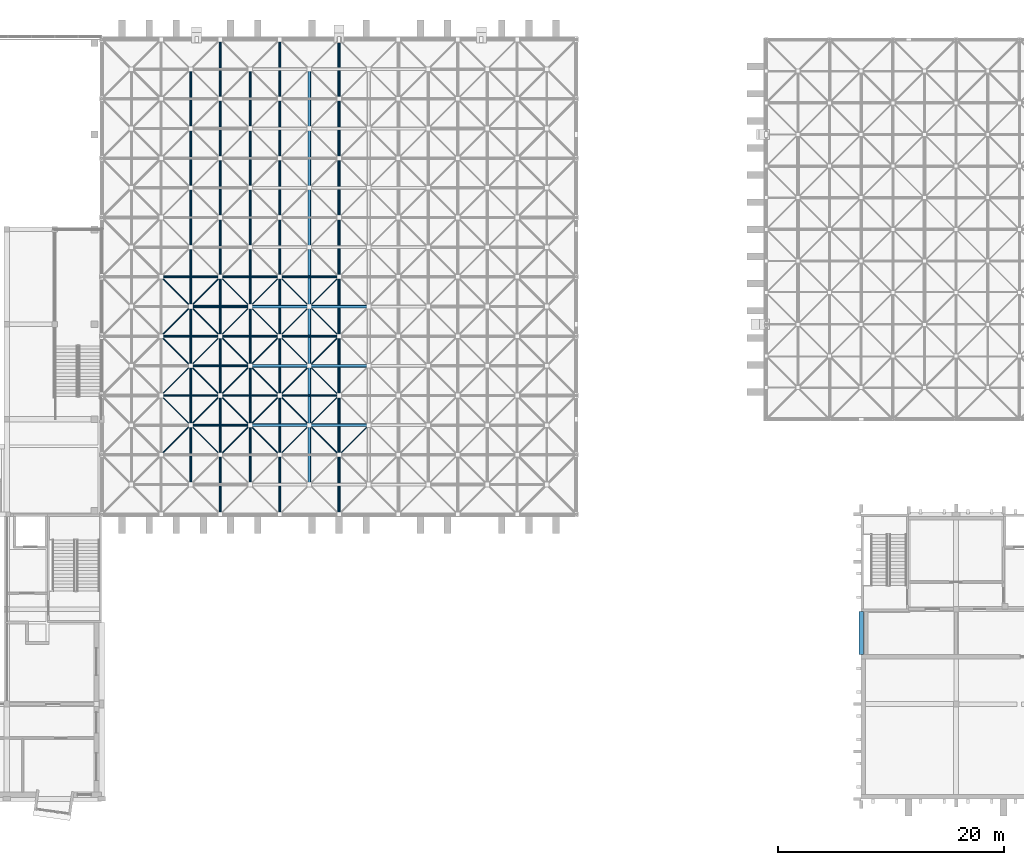
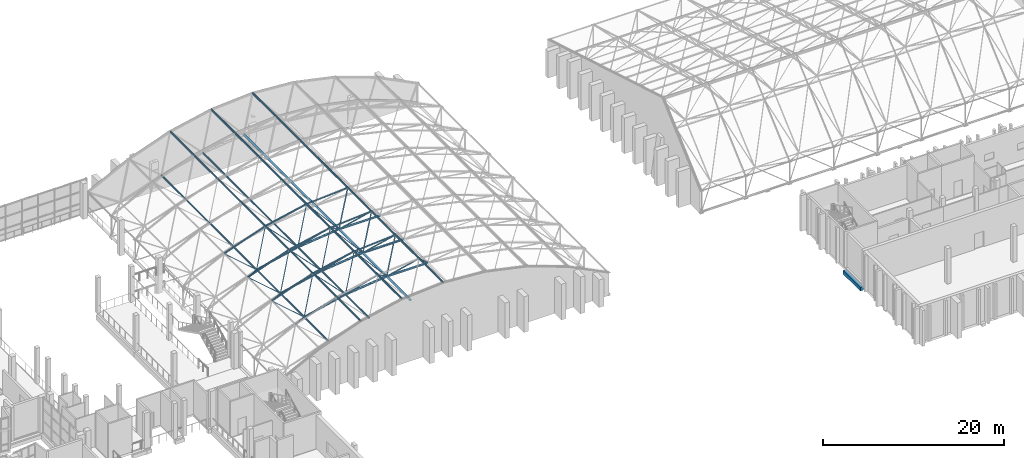
# One storey, part 17 of 100: 61 members, 1 beam.
"""IFC4 building model written with IfcOpenShell, lengths in metres."""

from ifc_helpers import new_model, si_unit, direction, frame, origin, origin_2d, place, context, subcontext, project, spatial, rectangle, hollow_circle, extrude, material, material_profile, profile_set, type_object, element, save


model = new_model("IFC4")

# Units and contexts
model_context = context("Model", 3, precision=1e-05, world=origin(), true_north=direction((0.0, 1.0)))
body_context = subcontext(model_context, "Body", "Model", "MODEL_VIEW")
ifc_project = project(units=[si_unit("LENGTHUNIT", "METRE"), si_unit("AREAUNIT", "SQUARE_METRE"), si_unit("VOLUMEUNIT", "CUBIC_METRE"), si_unit("PLANEANGLEUNIT", "RADIAN"), si_unit("MASSUNIT", "GRAM", prefix="KILO")], contexts=[model_context])

# Site, building, storey
site_placement = place(None, origin())
site = spatial("IfcSite", under=ifc_project, at=site_placement, CompositionType="ELEMENT")
building_placement = place(site_placement, origin())
building = spatial("IfcBuilding", under=site, at=building_placement, Name="Kiln Court Media Centre", CompositionType="ELEMENT")
storey_placement = place(building_placement, frame((0.0, 0.0, 15.0)))
storey = spatial("IfcBuildingStorey", under=building, at=storey_placement, Name="L03", CompositionType="ELEMENT", Elevation=15.0)

# Beam
ifc_material_1 = material(Name="Concrete C30/37", Category="concrete")
ifc_material_profile_1 = material_profile(ifc_material_1, rectangle(XDim=0.39990234375, YDim=0.5, at=origin_2d()), Name="RC 400x500")
ifc_profile_set_1 = profile_set([ifc_material_profile_1], Name="Concrete C30/37")
beam_type = type_object("IfcBeamType", Name="Concrete C30/37 beam 400x500", PredefinedType="BEAM", material=ifc_profile_set_1)
beam_placement = place(storey_placement, frame((126.0, 12.800048828125, -0.550048828125), z_axis=(0.0, 1.0, 0.0), x_axis=(-1.0, 0.0, 0.0)))
element("IfcBeam", 1, at=beam_placement, inside=storey, type_object=beam_type, Name="L03-B-1099", PredefinedType="BEAM", context=body_context, shape_type="SweptSolid", body=[
    extrude(rectangle(XDim=0.39990234375, YDim=0.5, at=origin_2d()), origin(), (0.0, 0.0, 1.0), 3.800048828125),
])

# Members
ifc_material_2 = material(Name="Steel ASTM A500 Gr C", Category="steel")
ifc_material_profile_2 = material_profile(ifc_material_2, hollow_circle(Radius=0.05078125, WallThickness=0.0048828125, at=origin_2d()), Name="CHS 101.6x5.0")
ifc_profile_set_2 = profile_set([ifc_material_profile_2], Name="Steel ASTM A500 Gr C")
member_type_1 = type_object("IfcMemberType", Name="Steel ASTM A500 Gr C CHS 101.6x5.0 space frame brace", PredefinedType="BRACE", material=ifc_profile_set_2)
member_1_placement = place(storey_placement, frame((77.175048828125, 33.074951171875, 5.926513671875), z_axis=(-0.571963592053, -0.571963592053, 0.587975593653), x_axis=(0.707106781187, -0.707106781187, 0.0)))
element("IfcMember", 2, at=member_1_placement, inside=storey, type_object=member_type_1, Name="V1 roof diagonal 4-2 space frame brace", PredefinedType="BRACE", context=body_context, shape_type="SweptSolid", body=[
    extrude(hollow_circle(Radius=0.05078125, WallThickness=0.0048828125, at=origin_2d()), origin(), (0.0, 0.0, 1.0), 4.58935546875),
])
member_2_placement = place(storey_placement, frame((77.175048828125, 33.074951171875, 5.926513671875), z_axis=(0.544662450541, -0.544662450541, 0.637719083878), x_axis=(0.707106781187, 0.707106781187, 0.0)))
element("IfcMember", 3, at=member_2_placement, inside=storey, type_object=member_type_1, Name="V1 roof diagonal 4-2 space frame brace", PredefinedType="BRACE", context=body_context, shape_type="SweptSolid", body=[
    extrude(hollow_circle(Radius=0.05078125, WallThickness=0.0048828125, at=origin_2d()), origin(), (0.0, 0.0, 1.0), 4.819580078125),
])
member_3_placement = place(storey_placement, frame((77.175048828125, 33.074951171875, 5.926513671875), z_axis=(-0.571963592053, 0.571963592053, 0.587975593653), x_axis=(-0.707106781187, -0.707106781187, 0.0)))
element("IfcMember", 4, at=member_3_placement, inside=storey, type_object=member_type_1, Name="V1 roof diagonal 4-2 space frame brace", PredefinedType="BRACE", context=body_context, shape_type="SweptSolid", body=[
    extrude(hollow_circle(Radius=0.05078125, WallThickness=0.0048828125, at=origin_2d()), origin(), (0.0, 0.0, 1.0), 4.58935546875),
])
member_4_placement = place(storey_placement, frame((77.175048828125, 33.074951171875, 5.926513671875), z_axis=(0.544662450541, 0.544662450541, 0.637719083878), x_axis=(-0.707106781187, 0.707106781187, 0.0)))
element("IfcMember", 5, at=member_4_placement, inside=storey, type_object=member_type_1, Name="V1 roof diagonal 4-2 space frame brace", PredefinedType="BRACE", context=body_context, shape_type="SweptSolid", body=[
    extrude(hollow_circle(Radius=0.05078125, WallThickness=0.0048828125, at=origin_2d()), origin(), (0.0, 0.0, 1.0), 4.819580078125),
])
member_5_placement = place(storey_placement, frame((77.175048828125, 38.324951171875, 5.926513671875), z_axis=(-0.571963592053, -0.571963592053, 0.587975593653), x_axis=(0.707106781187, -0.707106781187, 0.0)))
element("IfcMember", 6, at=member_5_placement, inside=storey, type_object=member_type_1, Name="V1 roof diagonal 4-3 space frame brace", PredefinedType="BRACE", context=body_context, shape_type="SweptSolid", body=[
    extrude(hollow_circle(Radius=0.05078125, WallThickness=0.0048828125, at=origin_2d()), origin(), (0.0, 0.0, 1.0), 4.58935546875),
])
member_6_placement = place(storey_placement, frame((77.175048828125, 38.324951171875, 5.926513671875), z_axis=(0.544662450541, -0.544662450541, 0.637719083878), x_axis=(0.707106781187, 0.707106781187, 0.0)))
element("IfcMember", 7, at=member_6_placement, inside=storey, type_object=member_type_1, Name="V1 roof diagonal 4-3 space frame brace", PredefinedType="BRACE", context=body_context, shape_type="SweptSolid", body=[
    extrude(hollow_circle(Radius=0.05078125, WallThickness=0.0048828125, at=origin_2d()), origin(), (0.0, 0.0, 1.0), 4.819580078125),
])
member_7_placement = place(storey_placement, frame((77.175048828125, 38.324951171875, 5.926513671875), z_axis=(-0.571963592053, 0.571963592053, 0.587975593653), x_axis=(-0.707106781187, -0.707106781187, 0.0)))
element("IfcMember", 8, at=member_7_placement, inside=storey, type_object=member_type_1, Name="V1 roof diagonal 4-3 space frame brace", PredefinedType="BRACE", context=body_context, shape_type="SweptSolid", body=[
    extrude(hollow_circle(Radius=0.05078125, WallThickness=0.0048828125, at=origin_2d()), origin(), (0.0, 0.0, 1.0), 4.58935546875),
])
member_8_placement = place(storey_placement, frame((77.175048828125, 38.324951171875, 5.926513671875), z_axis=(0.544662450541, 0.544662450541, 0.637719083878), x_axis=(-0.707106781187, 0.707106781187, 0.0)))
element("IfcMember", 9, at=member_8_placement, inside=storey, type_object=member_type_1, Name="V1 roof diagonal 4-3 space frame brace", PredefinedType="BRACE", context=body_context, shape_type="SweptSolid", body=[
    extrude(hollow_circle(Radius=0.05078125, WallThickness=0.0048828125, at=origin_2d()), origin(), (0.0, 0.0, 1.0), 4.819580078125),
])
member_9_placement = place(storey_placement, frame((77.175048828125, 43.574951171875, 5.926513671875), z_axis=(-0.571963592053, -0.571963592053, 0.587975593653), x_axis=(0.707106781187, -0.707106781187, 0.0)))
element("IfcMember", 10, at=member_9_placement, inside=storey, type_object=member_type_1, Name="V1 roof diagonal 4-4 space frame brace", PredefinedType="BRACE", context=body_context, shape_type="SweptSolid", body=[
    extrude(hollow_circle(Radius=0.05078125, WallThickness=0.0048828125, at=origin_2d()), origin(), (0.0, 0.0, 1.0), 4.58935546875),
])
member_10_placement = place(storey_placement, frame((77.175048828125, 43.574951171875, 5.926513671875), z_axis=(0.544662450541, -0.544662450541, 0.637719083878), x_axis=(0.707106781187, 0.707106781187, 0.0)))
element("IfcMember", 11, at=member_10_placement, inside=storey, type_object=member_type_1, Name="V1 roof diagonal 4-4 space frame brace", PredefinedType="BRACE", context=body_context, shape_type="SweptSolid", body=[
    extrude(hollow_circle(Radius=0.05078125, WallThickness=0.0048828125, at=origin_2d()), origin(), (0.0, 0.0, 1.0), 4.819580078125),
])
member_11_placement = place(storey_placement, frame((77.175048828125, 43.574951171875, 5.926513671875), z_axis=(-0.571963592053, 0.571963592053, 0.587975593653), x_axis=(-0.707106781187, -0.707106781187, 0.0)))
element("IfcMember", 12, at=member_11_placement, inside=storey, type_object=member_type_1, Name="V1 roof diagonal 4-4 space frame brace", PredefinedType="BRACE", context=body_context, shape_type="SweptSolid", body=[
    extrude(hollow_circle(Radius=0.05078125, WallThickness=0.0048828125, at=origin_2d()), origin(), (0.0, 0.0, 1.0), 4.58935546875),
])
for number, where, z_axis, x_axis, name in (
    (13, (77.175048828125, 43.574951171875, 5.926513671875), (0.544662450541, 0.544662450541, 0.637719083878), (-0.707106781187, 0.707106781187, 0.0), "V1 roof diagonal 4-4 space frame brace"),
    (14, (82.425048828125, 33.074951171875, 5.926513671875), (-0.544662450541, -0.544662450541, 0.637719083878), (0.707106781187, -0.707106781187, 0.0), "V1 roof diagonal 5-2 space frame brace"),
):
    element("IfcMember", number, at=place(storey_placement, frame(where, z_axis=z_axis, x_axis=x_axis)), inside=storey, type_object=member_type_1, Name=name, PredefinedType="BRACE", context=body_context, shape_type="SweptSolid", body=[
        extrude(hollow_circle(Radius=0.05078125, WallThickness=0.0048828125, at=origin_2d()), origin(), (0.0, 0.0, 1.0), 4.819580078125),
    ])
ifc_material_3 = material(Name="Steel ASTM A500 Gr C", Category="steel")
ifc_material_profile_3 = material_profile(ifc_material_3, hollow_circle(Radius=0.05712890625, WallThickness=0.0048828125, at=origin_2d()), Name="CHS 114.3x5.0")
ifc_profile_set_3 = profile_set([ifc_material_profile_3], Name="Steel ASTM A500 Gr C")
member_type_2 = type_object("IfcMemberType", Name="Steel ASTM A500 Gr C CHS 114.3x5.0 space frame brace", PredefinedType="BRACE", material=ifc_profile_set_3)
member_12_placement = place(storey_placement, frame((66.675048828125, 33.074951171875, 4.133544921875), z_axis=(-0.656133377529, -0.656133377529, 0.37279750775), x_axis=(0.707106781187, -0.707106781187, 0.0)))
element("IfcMember", 15, at=member_12_placement, inside=storey, type_object=member_type_2, Name="V1 roof diagonal 2-2 space frame brace", PredefinedType="BRACE", context=body_context, shape_type="SweptSolid", body=[
    extrude(hollow_circle(Radius=0.05712890625, WallThickness=0.0048828125, at=origin_2d()), origin(), (0.0, 0.0, 1.0), 4.000732421875),
])
member_13_placement = place(storey_placement, frame((66.675048828125, 33.074951171875, 4.133544921875), z_axis=(0.523804264708, -0.523804264708, 0.671757534046), x_axis=(0.707106781187, 0.707106781187, 0.0)))
element("IfcMember", 16, at=member_13_placement, inside=storey, type_object=member_type_2, Name="V1 roof diagonal 2-2 space frame brace", PredefinedType="BRACE", context=body_context, shape_type="SweptSolid", body=[
    extrude(hollow_circle(Radius=0.05712890625, WallThickness=0.0048828125, at=origin_2d()), origin(), (0.0, 0.0, 1.0), 5.011474609375),
])
member_14_placement = place(storey_placement, frame((66.675048828125, 33.074951171875, 4.133544921875), z_axis=(-0.656133377529, 0.656133377529, 0.37279750775), x_axis=(-0.707106781187, -0.707106781187, 0.0)))
element("IfcMember", 17, at=member_14_placement, inside=storey, type_object=member_type_2, Name="V1 roof diagonal 2-2 space frame brace", PredefinedType="BRACE", context=body_context, shape_type="SweptSolid", body=[
    extrude(hollow_circle(Radius=0.05712890625, WallThickness=0.0048828125, at=origin_2d()), origin(), (0.0, 0.0, 1.0), 4.000732421875),
])
member_15_placement = place(storey_placement, frame((66.675048828125, 33.074951171875, 4.133544921875), z_axis=(0.523804264708, 0.523804264708, 0.671757534046), x_axis=(-0.707106781187, 0.707106781187, 0.0)))
element("IfcMember", 18, at=member_15_placement, inside=storey, type_object=member_type_2, Name="V1 roof diagonal 2-2 space frame brace", PredefinedType="BRACE", context=body_context, shape_type="SweptSolid", body=[
    extrude(hollow_circle(Radius=0.05712890625, WallThickness=0.0048828125, at=origin_2d()), origin(), (0.0, 0.0, 1.0), 5.011474609375),
])
member_16_placement = place(storey_placement, frame((66.675048828125, 38.324951171875, 4.133544921875), z_axis=(-0.656133377529, -0.656133377529, 0.37279750775), x_axis=(0.707106781187, -0.707106781187, 0.0)))
element("IfcMember", 19, at=member_16_placement, inside=storey, type_object=member_type_2, Name="V1 roof diagonal 2-3 space frame brace", PredefinedType="BRACE", context=body_context, shape_type="SweptSolid", body=[
    extrude(hollow_circle(Radius=0.05712890625, WallThickness=0.0048828125, at=origin_2d()), origin(), (0.0, 0.0, 1.0), 4.000732421875),
])
member_17_placement = place(storey_placement, frame((66.675048828125, 38.324951171875, 4.133544921875), z_axis=(0.523804264708, -0.523804264708, 0.671757534046), x_axis=(0.707106781187, 0.707106781187, 0.0)))
element("IfcMember", 20, at=member_17_placement, inside=storey, type_object=member_type_2, Name="V1 roof diagonal 2-3 space frame brace", PredefinedType="BRACE", context=body_context, shape_type="SweptSolid", body=[
    extrude(hollow_circle(Radius=0.05712890625, WallThickness=0.0048828125, at=origin_2d()), origin(), (0.0, 0.0, 1.0), 5.011474609375),
])
member_18_placement = place(storey_placement, frame((66.675048828125, 38.324951171875, 4.133544921875), z_axis=(-0.656133377529, 0.656133377529, 0.37279750775), x_axis=(-0.707106781187, -0.707106781187, 0.0)))
element("IfcMember", 21, at=member_18_placement, inside=storey, type_object=member_type_2, Name="V1 roof diagonal 2-3 space frame brace", PredefinedType="BRACE", context=body_context, shape_type="SweptSolid", body=[
    extrude(hollow_circle(Radius=0.05712890625, WallThickness=0.0048828125, at=origin_2d()), origin(), (0.0, 0.0, 1.0), 4.000732421875),
])
member_19_placement = place(storey_placement, frame((66.675048828125, 38.324951171875, 4.133544921875), z_axis=(0.523804264708, 0.523804264708, 0.671757534046), x_axis=(-0.707106781187, 0.707106781187, 0.0)))
element("IfcMember", 22, at=member_19_placement, inside=storey, type_object=member_type_2, Name="V1 roof diagonal 2-3 space frame brace", PredefinedType="BRACE", context=body_context, shape_type="SweptSolid", body=[
    extrude(hollow_circle(Radius=0.05712890625, WallThickness=0.0048828125, at=origin_2d()), origin(), (0.0, 0.0, 1.0), 5.011474609375),
])
member_20_placement = place(storey_placement, frame((66.675048828125, 43.574951171875, 4.133544921875), z_axis=(-0.656133377529, -0.656133377529, 0.37279750775), x_axis=(0.707106781187, -0.707106781187, 0.0)))
element("IfcMember", 23, at=member_20_placement, inside=storey, type_object=member_type_2, Name="V1 roof diagonal 2-4 space frame brace", PredefinedType="BRACE", context=body_context, shape_type="SweptSolid", body=[
    extrude(hollow_circle(Radius=0.05712890625, WallThickness=0.0048828125, at=origin_2d()), origin(), (0.0, 0.0, 1.0), 4.000732421875),
])
member_21_placement = place(storey_placement, frame((66.675048828125, 43.574951171875, 4.133544921875), z_axis=(0.523804264708, -0.523804264708, 0.671757534046), x_axis=(0.707106781187, 0.707106781187, 0.0)))
element("IfcMember", 24, at=member_21_placement, inside=storey, type_object=member_type_2, Name="V1 roof diagonal 2-4 space frame brace", PredefinedType="BRACE", context=body_context, shape_type="SweptSolid", body=[
    extrude(hollow_circle(Radius=0.05712890625, WallThickness=0.0048828125, at=origin_2d()), origin(), (0.0, 0.0, 1.0), 5.011474609375),
])
member_22_placement = place(storey_placement, frame((66.675048828125, 43.574951171875, 4.133544921875), z_axis=(-0.656133377529, 0.656133377529, 0.37279750775), x_axis=(-0.707106781187, -0.707106781187, 0.0)))
element("IfcMember", 25, at=member_22_placement, inside=storey, type_object=member_type_2, Name="V1 roof diagonal 2-4 space frame brace", PredefinedType="BRACE", context=body_context, shape_type="SweptSolid", body=[
    extrude(hollow_circle(Radius=0.05712890625, WallThickness=0.0048828125, at=origin_2d()), origin(), (0.0, 0.0, 1.0), 4.000732421875),
])
member_23_placement = place(storey_placement, frame((66.675048828125, 43.574951171875, 4.133544921875), z_axis=(0.523804264708, 0.523804264708, 0.671757534046), x_axis=(-0.707106781187, 0.707106781187, 0.0)))
element("IfcMember", 26, at=member_23_placement, inside=storey, type_object=member_type_2, Name="V1 roof diagonal 2-4 space frame brace", PredefinedType="BRACE", context=body_context, shape_type="SweptSolid", body=[
    extrude(hollow_circle(Radius=0.05712890625, WallThickness=0.0048828125, at=origin_2d()), origin(), (0.0, 0.0, 1.0), 5.011474609375),
])
member_24_placement = place(storey_placement, frame((71.925048828125, 33.074951171875, 5.333984375), z_axis=(-0.61074803366, -0.61074803366, 0.503958012894), x_axis=(0.707106781187, -0.707106781187, 0.0)))
element("IfcMember", 27, at=member_24_placement, inside=storey, type_object=member_type_2, Name="V1 roof diagonal 3-2 space frame brace", PredefinedType="BRACE", context=body_context, shape_type="SweptSolid", body=[
    extrude(hollow_circle(Radius=0.05712890625, WallThickness=0.0048828125, at=origin_2d()), origin(), (0.0, 0.0, 1.0), 4.298095703125),
])
member_25_placement = place(storey_placement, frame((71.925048828125, 33.074951171875, 5.333984375), z_axis=(0.529121679325, -0.529121679325, 0.663370557785), x_axis=(0.707106781187, 0.707106781187, 0.0)))
element("IfcMember", 28, at=member_25_placement, inside=storey, type_object=member_type_2, Name="V1 roof diagonal 3-2 space frame brace", PredefinedType="BRACE", context=body_context, shape_type="SweptSolid", body=[
    extrude(hollow_circle(Radius=0.05712890625, WallThickness=0.0048828125, at=origin_2d()), origin(), (0.0, 0.0, 1.0), 4.9609375),
])
member_26_placement = place(storey_placement, frame((71.925048828125, 33.074951171875, 5.333984375), z_axis=(-0.61074803366, 0.61074803366, 0.503958012894), x_axis=(-0.707106781187, -0.707106781187, 0.0)))
element("IfcMember", 29, at=member_26_placement, inside=storey, type_object=member_type_2, Name="V1 roof diagonal 3-2 space frame brace", PredefinedType="BRACE", context=body_context, shape_type="SweptSolid", body=[
    extrude(hollow_circle(Radius=0.05712890625, WallThickness=0.0048828125, at=origin_2d()), origin(), (0.0, 0.0, 1.0), 4.298095703125),
])
member_27_placement = place(storey_placement, frame((71.925048828125, 33.074951171875, 5.333984375), z_axis=(0.529121679325, 0.529121679325, 0.663370557785), x_axis=(-0.707106781187, 0.707106781187, 0.0)))
element("IfcMember", 30, at=member_27_placement, inside=storey, type_object=member_type_2, Name="V1 roof diagonal 3-2 space frame brace", PredefinedType="BRACE", context=body_context, shape_type="SweptSolid", body=[
    extrude(hollow_circle(Radius=0.05712890625, WallThickness=0.0048828125, at=origin_2d()), origin(), (0.0, 0.0, 1.0), 4.9609375),
])
member_28_placement = place(storey_placement, frame((71.925048828125, 38.324951171875, 5.333984375), z_axis=(-0.61074803366, -0.61074803366, 0.503958012894), x_axis=(0.707106781187, -0.707106781187, 0.0)))
element("IfcMember", 31, at=member_28_placement, inside=storey, type_object=member_type_2, Name="V1 roof diagonal 3-3 space frame brace", PredefinedType="BRACE", context=body_context, shape_type="SweptSolid", body=[
    extrude(hollow_circle(Radius=0.05712890625, WallThickness=0.0048828125, at=origin_2d()), origin(), (0.0, 0.0, 1.0), 4.298095703125),
])
member_29_placement = place(storey_placement, frame((71.925048828125, 38.324951171875, 5.333984375), z_axis=(0.529121679325, -0.529121679325, 0.663370557785), x_axis=(0.707106781187, 0.707106781187, 0.0)))
element("IfcMember", 32, at=member_29_placement, inside=storey, type_object=member_type_2, Name="V1 roof diagonal 3-3 space frame brace", PredefinedType="BRACE", context=body_context, shape_type="SweptSolid", body=[
    extrude(hollow_circle(Radius=0.05712890625, WallThickness=0.0048828125, at=origin_2d()), origin(), (0.0, 0.0, 1.0), 4.9609375),
])
member_30_placement = place(storey_placement, frame((71.925048828125, 38.324951171875, 5.333984375), z_axis=(-0.61074803366, 0.61074803366, 0.503958012894), x_axis=(-0.707106781187, -0.707106781187, 0.0)))
element("IfcMember", 33, at=member_30_placement, inside=storey, type_object=member_type_2, Name="V1 roof diagonal 3-3 space frame brace", PredefinedType="BRACE", context=body_context, shape_type="SweptSolid", body=[
    extrude(hollow_circle(Radius=0.05712890625, WallThickness=0.0048828125, at=origin_2d()), origin(), (0.0, 0.0, 1.0), 4.298095703125),
])
member_31_placement = place(storey_placement, frame((71.925048828125, 38.324951171875, 5.333984375), z_axis=(0.529121679325, 0.529121679325, 0.663370557785), x_axis=(-0.707106781187, 0.707106781187, 0.0)))
element("IfcMember", 34, at=member_31_placement, inside=storey, type_object=member_type_2, Name="V1 roof diagonal 3-3 space frame brace", PredefinedType="BRACE", context=body_context, shape_type="SweptSolid", body=[
    extrude(hollow_circle(Radius=0.05712890625, WallThickness=0.0048828125, at=origin_2d()), origin(), (0.0, 0.0, 1.0), 4.9609375),
])
member_32_placement = place(storey_placement, frame((71.925048828125, 43.574951171875, 5.333984375), z_axis=(-0.61074803366, -0.61074803366, 0.503958012894), x_axis=(0.707106781187, -0.707106781187, 0.0)))
element("IfcMember", 35, at=member_32_placement, inside=storey, type_object=member_type_2, Name="V1 roof diagonal 3-4 space frame brace", PredefinedType="BRACE", context=body_context, shape_type="SweptSolid", body=[
    extrude(hollow_circle(Radius=0.05712890625, WallThickness=0.0048828125, at=origin_2d()), origin(), (0.0, 0.0, 1.0), 4.298095703125),
])
member_33_placement = place(storey_placement, frame((71.925048828125, 43.574951171875, 5.333984375), z_axis=(0.529121679325, -0.529121679325, 0.663370557785), x_axis=(0.707106781187, 0.707106781187, 0.0)))
element("IfcMember", 36, at=member_33_placement, inside=storey, type_object=member_type_2, Name="V1 roof diagonal 3-4 space frame brace", PredefinedType="BRACE", context=body_context, shape_type="SweptSolid", body=[
    extrude(hollow_circle(Radius=0.05712890625, WallThickness=0.0048828125, at=origin_2d()), origin(), (0.0, 0.0, 1.0), 4.9609375),
])
member_34_placement = place(storey_placement, frame((71.925048828125, 43.574951171875, 5.333984375), z_axis=(-0.61074803366, 0.61074803366, 0.503958012894), x_axis=(-0.707106781187, -0.707106781187, 0.0)))
element("IfcMember", 37, at=member_34_placement, inside=storey, type_object=member_type_2, Name="V1 roof diagonal 3-4 space frame brace", PredefinedType="BRACE", context=body_context, shape_type="SweptSolid", body=[
    extrude(hollow_circle(Radius=0.05712890625, WallThickness=0.0048828125, at=origin_2d()), origin(), (0.0, 0.0, 1.0), 4.298095703125),
])
member_35_placement = place(storey_placement, frame((71.925048828125, 43.574951171875, 5.333984375), z_axis=(0.529121679325, 0.529121679325, 0.663370557785), x_axis=(-0.707106781187, 0.707106781187, 0.0)))
element("IfcMember", 38, at=member_35_placement, inside=storey, type_object=member_type_2, Name="V1 roof diagonal 3-4 space frame brace", PredefinedType="BRACE", context=body_context, shape_type="SweptSolid", body=[
    extrude(hollow_circle(Radius=0.05712890625, WallThickness=0.0048828125, at=origin_2d()), origin(), (0.0, 0.0, 1.0), 4.9609375),
])
ifc_material_4 = material(Name="Steel ASTM A500 Gr C", Category="steel")
ifc_material_profile_4 = material_profile(ifc_material_4, hollow_circle(Radius=0.096923828125, WallThickness=0.008056640625, at=origin_2d()), Name="CHS 193.7x8.0")
ifc_profile_set_4 = profile_set([ifc_material_profile_4], Name="Steel ASTM A500 Gr C")
member_type_3 = type_object("IfcMemberType", Name="Steel ASTM A500 Gr C CHS 193.7x8.0 space frame chord", PredefinedType="CHORD", material=ifc_profile_set_4)
for number, where, z_axis, x_axis, name in (
    (39, (74.550048828125, 35.699951171875, 8.625), (0.997458699831, 0.0, 0.071247049988), (0.0, 1.0, 0.0), "V1 roof top chord across line 3 space frame chord"),
    (40, (74.550048828125, 40.949951171875, 8.625), (0.997458699831, 0.0, 0.071247049988), (0.0, 1.0, 0.0), "V1 roof top chord across line 4 space frame chord"),
    (41, (74.550048828125, 46.199951171875, 8.625), (0.997458699831, 0.0, 0.071247049988), (0.0, 1.0, 0.0), "V1 roof top chord across line 5 space frame chord"),
):
    element("IfcMember", number, at=place(storey_placement, frame(where, z_axis=z_axis, x_axis=x_axis)), inside=storey, type_object=member_type_3, Name=name, PredefinedType="CHORD", context=body_context, shape_type="SweptSolid", body=[
        extrude(hollow_circle(Radius=0.096923828125, WallThickness=0.008056640625, at=origin_2d()), origin(), (0.0, 0.0, 1.0), 5.263427734375),
    ])
ifc_material_5 = material(Name="Steel ASTM A500 Gr C", Category="steel")
ifc_material_profile_5 = material_profile(ifc_material_5, hollow_circle(Radius=0.109619140625, WallThickness=0.008056640625, at=origin_2d()), Name="CHS 219.1x8.0")
ifc_profile_set_5 = profile_set([ifc_material_profile_5], Name="Steel ASTM A500 Gr C")
member_type_4 = type_object("IfcMemberType", Name="Steel ASTM A500 Gr C CHS 219.1x8.0 space frame chord", PredefinedType="CHORD", material=ifc_profile_set_5)
member_36_placement = place(storey_placement, frame((69.300048828125, 25.199951171875, 7.5), z_axis=(0.0, 1.0, 0.0), x_axis=(-1.0, 0.0, 0.0)))
element("IfcMember", 42, at=member_36_placement, inside=storey, type_object=member_type_4, Name="V1 roof top chord along line 3 space frame chord", PredefinedType="CHORD", context=body_context, shape_type="SweptSolid", body=[
    extrude(hollow_circle(Radius=0.109619140625, WallThickness=0.008056640625, at=origin_2d()), origin(), (0.0, 0.0, 1.0), 42.0),
])
member_37_placement = place(storey_placement, frame((64.050048828125, 35.699951171875, 5.625), z_axis=(0.941741911595, 0.0, 0.336336396998), x_axis=(0.0, 1.0, 0.0)))
element("IfcMember", 43, at=member_37_placement, inside=storey, type_object=member_type_4, Name="V1 roof top chord across line 3 space frame chord", PredefinedType="CHORD", context=body_context, shape_type="SweptSolid", body=[
    extrude(hollow_circle(Radius=0.109619140625, WallThickness=0.008056640625, at=origin_2d()), origin(), (0.0, 0.0, 1.0), 5.57470703125),
])
member_38_placement = place(storey_placement, frame((69.300048828125, 35.699951171875, 7.5), z_axis=(0.977802414077, 0.0, 0.209529088731), x_axis=(0.0, 1.0, 0.0)))
element("IfcMember", 44, at=member_38_placement, inside=storey, type_object=member_type_4, Name="V1 roof top chord across line 3 space frame chord", PredefinedType="CHORD", context=body_context, shape_type="SweptSolid", body=[
    extrude(hollow_circle(Radius=0.109619140625, WallThickness=0.008056640625, at=origin_2d()), origin(), (0.0, 0.0, 1.0), 5.369140625),
])
member_39_placement = place(storey_placement, frame((64.050048828125, 40.949951171875, 5.625), z_axis=(0.941741911595, 0.0, 0.336336396998), x_axis=(0.0, 1.0, 0.0)))
element("IfcMember", 45, at=member_39_placement, inside=storey, type_object=member_type_4, Name="V1 roof top chord across line 4 space frame chord", PredefinedType="CHORD", context=body_context, shape_type="SweptSolid", body=[
    extrude(hollow_circle(Radius=0.109619140625, WallThickness=0.008056640625, at=origin_2d()), origin(), (0.0, 0.0, 1.0), 5.57470703125),
])
member_40_placement = place(storey_placement, frame((69.300048828125, 40.949951171875, 7.5), z_axis=(0.977802414077, 0.0, 0.209529088731), x_axis=(0.0, 1.0, 0.0)))
element("IfcMember", 46, at=member_40_placement, inside=storey, type_object=member_type_4, Name="V1 roof top chord across line 4 space frame chord", PredefinedType="CHORD", context=body_context, shape_type="SweptSolid", body=[
    extrude(hollow_circle(Radius=0.109619140625, WallThickness=0.008056640625, at=origin_2d()), origin(), (0.0, 0.0, 1.0), 5.369140625),
])
member_41_placement = place(storey_placement, frame((64.050048828125, 46.199951171875, 5.625), z_axis=(0.941741911595, 0.0, 0.336336396998), x_axis=(0.0, 1.0, 0.0)))
element("IfcMember", 47, at=member_41_placement, inside=storey, type_object=member_type_4, Name="V1 roof top chord across line 5 space frame chord", PredefinedType="CHORD", context=body_context, shape_type="SweptSolid", body=[
    extrude(hollow_circle(Radius=0.109619140625, WallThickness=0.008056640625, at=origin_2d()), origin(), (0.0, 0.0, 1.0), 5.57470703125),
])
member_42_placement = place(storey_placement, frame((69.300048828125, 46.199951171875, 7.5), z_axis=(0.977802414077, 0.0, 0.209529088731), x_axis=(0.0, 1.0, 0.0)))
element("IfcMember", 48, at=member_42_placement, inside=storey, type_object=member_type_4, Name="V1 roof top chord across line 5 space frame chord", PredefinedType="CHORD", context=body_context, shape_type="SweptSolid", body=[
    extrude(hollow_circle(Radius=0.109619140625, WallThickness=0.008056640625, at=origin_2d()), origin(), (0.0, 0.0, 1.0), 5.369140625),
])
for number, where, z_axis, x_axis, name in (
    (49, (66.675048828125, 27.824951171875, 4.133544921875), (0.0, 1.0, 0.0), (-1.0, 0.0, 0.0), "V1 roof bottom chord along line 2 space frame chord"),
    (50, (71.925048828125, 27.824951171875, 5.333984375), (0.0, 1.0, 0.0), (-1.0, 0.0, 0.0), "V1 roof bottom chord along line 3 space frame chord"),
):
    element("IfcMember", number, at=place(storey_placement, frame(where, z_axis=z_axis, x_axis=x_axis)), inside=storey, type_object=member_type_4, Name=name, PredefinedType="CHORD", context=body_context, shape_type="SweptSolid", body=[
        extrude(hollow_circle(Radius=0.109619140625, WallThickness=0.008056640625, at=origin_2d()), origin(), (0.0, 0.0, 1.0), 36.75),
    ])
ifc_material_6 = material(Name="Steel ASTM A500 Gr C", Category="steel")
ifc_material_profile_6 = material_profile(ifc_material_6, hollow_circle(Radius=0.122314453125, WallThickness=0.010009765625, at=origin_2d()), Name="CHS 244.5x10.0")
ifc_profile_set_6 = profile_set([ifc_material_profile_6], Name="Steel ASTM A500 Gr C")
member_type_5 = type_object("IfcMemberType", Name="Steel ASTM A500 Gr C CHS 244.5x10.0 space frame chord", PredefinedType="CHORD", material=ifc_profile_set_6)
for number, where, z_axis, x_axis, name in (
    (51, (74.550048828125, 25.199951171875, 8.625), (0.0, 1.0, 0.0), (-1.0, 0.0, 0.0), "V1 roof top chord along line 4 space frame chord"),
    (52, (79.800048828125, 25.199951171875, 9.0), (0.0, 1.0, 0.0), (-1.0, 0.0, 0.0), "V1 roof top chord along line 5 space frame chord"),
):
    element("IfcMember", number, at=place(storey_placement, frame(where, z_axis=z_axis, x_axis=x_axis)), inside=storey, type_object=member_type_5, Name=name, PredefinedType="CHORD", context=body_context, shape_type="SweptSolid", body=[
        extrude(hollow_circle(Radius=0.122314453125, WallThickness=0.010009765625, at=origin_2d()), origin(), (0.0, 0.0, 1.0), 42.0),
    ])
for number, where, z_axis, x_axis, name in (
    (53, (66.675048828125, 33.074951171875, 4.133544921875), (0.97484077825, 0.0, 0.22290234871), (0.0, 1.0, 0.0), "V1 roof bottom chord across line 2 space frame chord"),
    (54, (66.675048828125, 38.324951171875, 4.133544921875), (0.97484077825, 0.0, 0.22290234871), (0.0, 1.0, 0.0), "V1 roof bottom chord across line 3 space frame chord"),
    (55, (66.675048828125, 43.574951171875, 4.133544921875), (0.97484077825, 0.0, 0.22290234871), (0.0, 1.0, 0.0), "V1 roof bottom chord across line 4 space frame chord"),
):
    element("IfcMember", number, at=place(storey_placement, frame(where, z_axis=z_axis, x_axis=x_axis)), inside=storey, type_object=member_type_5, Name=name, PredefinedType="CHORD", context=body_context, shape_type="SweptSolid", body=[
        extrude(hollow_circle(Radius=0.122314453125, WallThickness=0.010009765625, at=origin_2d()), origin(), (0.0, 0.0, 1.0), 5.385498046875),
    ])
ifc_material_7 = material(Name="Steel ASTM A500 Gr C", Category="steel")
ifc_material_profile_7 = material_profile(ifc_material_7, hollow_circle(Radius=0.136474609375, WallThickness=0.010009765625, at=origin_2d()), Name="CHS 273.0x10.0")
ifc_profile_set_7 = profile_set([ifc_material_profile_7], Name="Steel ASTM A500 Gr C")
member_type_6 = type_object("IfcMemberType", Name="Steel ASTM A500 Gr C CHS 273.0x10.0 space frame chord", PredefinedType="CHORD", material=ifc_profile_set_7)
member_43_placement = place(storey_placement, frame((77.175048828125, 27.824951171875, 5.926513671875), z_axis=(0.0, 1.0, 0.0), x_axis=(-1.0, 0.0, 0.0)))
element("IfcMember", 56, at=member_43_placement, inside=storey, type_object=member_type_6, Name="V1 roof bottom chord along line 4 space frame chord", PredefinedType="CHORD", context=body_context, shape_type="SweptSolid", body=[
    extrude(hollow_circle(Radius=0.136474609375, WallThickness=0.010009765625, at=origin_2d()), origin(), (0.0, 0.0, 1.0), 36.75),
])
member_44_placement = place(storey_placement, frame((71.925048828125, 33.074951171875, 5.333984375), z_axis=(0.993691210277, 0.0, 0.112150696026), x_axis=(0.0, 1.0, 0.0)))
element("IfcMember", 57, at=member_44_placement, inside=storey, type_object=member_type_6, Name="V1 roof bottom chord across line 2 space frame chord", PredefinedType="CHORD", context=body_context, shape_type="SweptSolid", body=[
    extrude(hollow_circle(Radius=0.136474609375, WallThickness=0.010009765625, at=origin_2d()), origin(), (0.0, 0.0, 1.0), 5.283447265625),
])
member_45_placement = place(storey_placement, frame((77.175048828125, 33.074951171875, 5.926513671875), z_axis=(1.0, 0.0, 0.0), x_axis=(0.0, 1.0, 0.0)))
element("IfcMember", 58, at=member_45_placement, inside=storey, type_object=member_type_6, Name="V1 roof bottom chord across line 2 space frame chord", PredefinedType="CHORD", context=body_context, shape_type="SweptSolid", body=[
    extrude(hollow_circle(Radius=0.136474609375, WallThickness=0.010009765625, at=origin_2d()), origin(), (0.0, 0.0, 1.0), 5.25),
])
member_46_placement = place(storey_placement, frame((71.925048828125, 38.324951171875, 5.333984375), z_axis=(0.993691210277, 0.0, 0.112150696026), x_axis=(0.0, 1.0, 0.0)))
element("IfcMember", 59, at=member_46_placement, inside=storey, type_object=member_type_6, Name="V1 roof bottom chord across line 3 space frame chord", PredefinedType="CHORD", context=body_context, shape_type="SweptSolid", body=[
    extrude(hollow_circle(Radius=0.136474609375, WallThickness=0.010009765625, at=origin_2d()), origin(), (0.0, 0.0, 1.0), 5.283447265625),
])
member_47_placement = place(storey_placement, frame((77.175048828125, 38.324951171875, 5.926513671875), z_axis=(1.0, 0.0, 0.0), x_axis=(0.0, 1.0, 0.0)))
element("IfcMember", 60, at=member_47_placement, inside=storey, type_object=member_type_6, Name="V1 roof bottom chord across line 3 space frame chord", PredefinedType="CHORD", context=body_context, shape_type="SweptSolid", body=[
    extrude(hollow_circle(Radius=0.136474609375, WallThickness=0.010009765625, at=origin_2d()), origin(), (0.0, 0.0, 1.0), 5.25),
])
member_48_placement = place(storey_placement, frame((71.925048828125, 43.574951171875, 5.333984375), z_axis=(0.993691210277, 0.0, 0.112150696026), x_axis=(0.0, 1.0, 0.0)))
element("IfcMember", 61, at=member_48_placement, inside=storey, type_object=member_type_6, Name="V1 roof bottom chord across line 4 space frame chord", PredefinedType="CHORD", context=body_context, shape_type="SweptSolid", body=[
    extrude(hollow_circle(Radius=0.136474609375, WallThickness=0.010009765625, at=origin_2d()), origin(), (0.0, 0.0, 1.0), 5.283447265625),
])
member_49_placement = place(storey_placement, frame((77.175048828125, 43.574951171875, 5.926513671875), z_axis=(1.0, 0.0, 0.0), x_axis=(0.0, 1.0, 0.0)))
element("IfcMember", 62, at=member_49_placement, inside=storey, type_object=member_type_6, Name="V1 roof bottom chord across line 4 space frame chord", PredefinedType="CHORD", context=body_context, shape_type="SweptSolid", body=[
    extrude(hollow_circle(Radius=0.136474609375, WallThickness=0.010009765625, at=origin_2d()), origin(), (0.0, 0.0, 1.0), 5.25),
])

save(model, "model.ifc")
